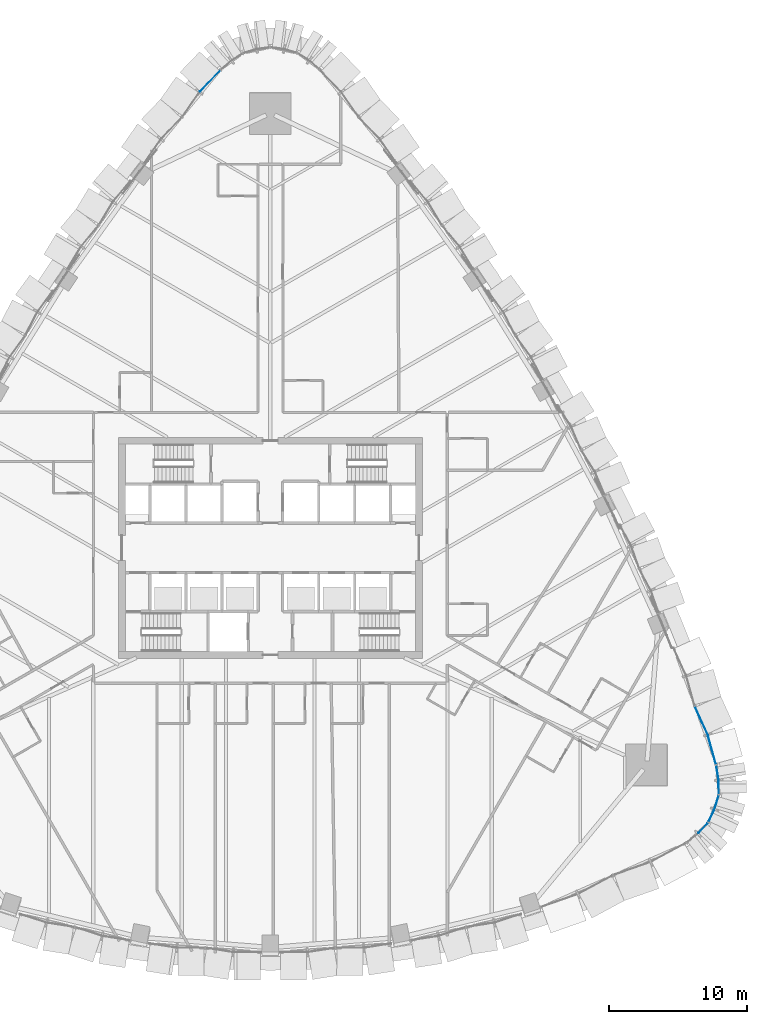
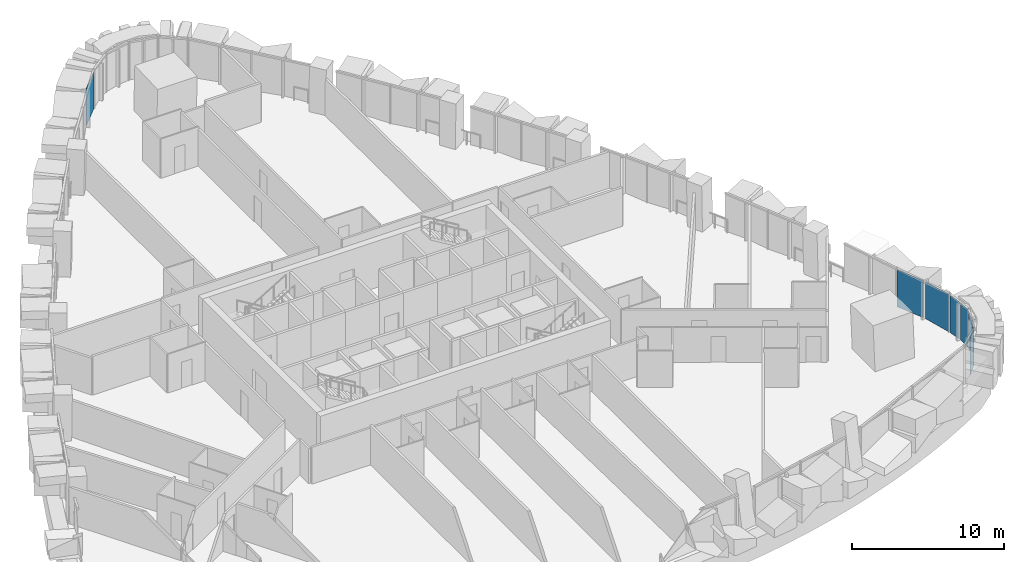
# One storey, part 13 of 27: 8 plates, 5 elements without a shape of their own.
"""IFC4 building model written with IfcOpenShell, lengths in metres."""

from ifc_helpers import new_model, si_unit, direction, frame, origin, place, context, subcontext, project, spatial, polyline, outline, extrude, material, layer, layer_set, type_object, element, aggregate, save


model = new_model("IFC4")

# Units and contexts
model_context = context("Model", 3, precision=1e-05, world=origin(), true_north=direction((0.0, 1.0)))
body_context = subcontext(model_context, "Body", "Model", "MODEL_VIEW")
ifc_project = project(units=[si_unit("LENGTHUNIT", "METRE"), si_unit("AREAUNIT", "SQUARE_METRE"), si_unit("VOLUMEUNIT", "CUBIC_METRE"), si_unit("PLANEANGLEUNIT", "RADIAN"), si_unit("MASSUNIT", "GRAM", prefix="KILO")], contexts=[model_context])

# Site, building, storey
site_placement = place(None, origin())
site = spatial("IfcSite", under=ifc_project, at=site_placement, CompositionType="ELEMENT")
building_placement = place(site_placement, origin())
building = spatial("IfcBuilding", under=site, at=building_placement, Name="Sierra Prisma Convention Tower", CompositionType="ELEMENT")
storey_placement = place(building_placement, frame((0.0, 0.0, 48.0)))
storey = spatial("IfcBuildingStorey", under=building, at=storey_placement, Name="L07", CompositionType="ELEMENT", Elevation=48.0)

# Curtain wall, plate
ifc_material_1 = material(Name="Aluminium and glass curtain wall", Category="aluminium")
ifc_layer_1 = layer(ifc_material_1, 0.179931640625)
ifc_layer_set_1 = layer_set([ifc_layer_1], Name="CW-2 Faceted crystal curtain wall")
curtain_wall_type = type_object("IfcCurtainWallType", Name="CW-2 Faceted crystal curtain wall", PredefinedType="NOTDEFINED", material=ifc_layer_set_1)
curtain_wall_1_placement = place(storey_placement, origin())
curtain_wall_1 = element("IfcCurtainWall", 1, at=curtain_wall_1_placement, inside=storey, type_object=curtain_wall_type, Name="CW-2 SE1 L07", PredefinedType="NOTDEFINED")
ifc_material_2 = material(Name="Tinted glass bronze-grey IGU", Category="glass")
ifc_layer_2 = layer(ifc_material_2, 0.028076171875)
ifc_layer_set_2 = layer_set([ifc_layer_2], Name="CW-2 crystal pane")
plate_type = type_object("IfcPlateType", Name="CW-2 crystal pane", PredefinedType="CURTAIN_PANEL", material=ifc_layer_set_2)
plate_1_placement = place(storey_placement, frame((31.6337890625, -19.95068359375, 0.0), z_axis=(0.733608622413, -0.67957221038, 0.0), x_axis=(-0.67957221038, -0.733608622413, 0.0)))
plate_1 = element("IfcPlate", 2, at=plate_1_placement, type_object=plate_type, Name="CW-2 pane SE1.1.2", PredefinedType="CURTAIN_PANEL", context=body_context, shape_type="SweptSolid", body=[
    extrude(outline(polyline([(0.0, 0.0), (0.948795993680199, 0.0), (0.948795993680199, -2.97998046875), (0.0, -2.97998046875), (0.0, 0.0)])), origin(), (0.0, 0.0, -1.0), 0.028076171875),
])
aggregate(curtain_wall_1, [plate_1])

# Curtain wall, plates
curtain_wall_2_placement = place(storey_placement, origin())
curtain_wall_2 = element("IfcCurtainWall", 3, at=curtain_wall_2_placement, inside=storey, type_object=curtain_wall_type, Name="CW-2 SE2 L07", PredefinedType="NOTDEFINED")
plate_2_placement = place(storey_placement, frame((31.710693359375, -19.838134765625, 0.0), z_axis=(0.901314229564, -0.433165856902, 0.0), x_axis=(0.433165856902, 0.901314229564, 0.0)))
plate_2 = element("IfcPlate", 4, at=plate_2_placement, type_object=plate_type, Name="CW-2 pane SE2.1.1", PredefinedType="CURTAIN_PANEL", context=body_context, shape_type="SweptSolid", body=[
    extrude(outline(polyline([(0.0, 0.0), (0.9491348543493294, 0.0), (0.9491348543493294, 2.97998046875), (0.0, 2.97998046875), (0.0, 0.0)])), origin(), (0.0, 0.0, -1.0), 0.028076171875),
])
plate_3_placement = place(storey_placement, frame((32.44091796875, -17.952880859375, 0.0), z_axis=(0.957889994002, -0.287135437364, 0.0), x_axis=(-0.287135437364, -0.957889994002, 0.0)))
plate_3 = element("IfcPlate", 5, at=plate_3_placement, type_object=plate_type, Name="CW-2 pane SE2.1.2", PredefinedType="CURTAIN_PANEL", context=body_context, shape_type="SweptSolid", body=[
    extrude(outline(polyline([(0.0, 0.0), (0.9488934559982667, 0.0), (0.9488934559982667, -2.9799804687499996), (0.0, -2.9799804687499996), (0.0, 0.0)])), origin(), (0.0, 0.0, -1.0), 0.028076171875),
])
aggregate(curtain_wall_2, [plate_2, plate_3])

curtain_wall_3_placement = place(storey_placement, origin())
curtain_wall_3 = element("IfcCurtainWall", 6, at=curtain_wall_3_placement, inside=storey, type_object=curtain_wall_type, Name="CW-2 SE3 L07", PredefinedType="NOTDEFINED")
plate_4_placement = place(storey_placement, frame((32.4599609375, -17.81787109375, 0.0), z_axis=(0.999966114117, 0.008232291138, 0.0), x_axis=(-0.008232291138, 0.999966114117, 0.0)))
plate_4 = element("IfcPlate", 7, at=plate_4_placement, type_object=plate_type, Name="CW-2 pane SE3.1.1", PredefinedType="CURTAIN_PANEL", context=body_context, shape_type="SweptSolid", body=[
    extrude(outline(polyline([(0.0, 0.0), (0.9490067673071061, 0.0), (0.9490067673071061, 2.9799804687499996), (0.0, 2.9799804687499996), (0.0, 0.0)])), origin(), (0.0, 0.0, -1.0), 0.028076171875),
])
plate_5_placement = place(storey_placement, frame((32.284912109375, -15.803955078125, 0.0), z_axis=(0.986393923832, 0.164398987305, 0.0), x_axis=(0.164398987305, -0.986393923832, 0.0)))
plate_5 = element("IfcPlate", 8, at=plate_5_placement, type_object=plate_type, Name="CW-2 pane SE3.1.2", PredefinedType="CURTAIN_PANEL", context=body_context, shape_type="SweptSolid", body=[
    extrude(outline(polyline([(0.0, 0.0), (0.9489465959132233, 0.0), (0.9489465959132233, -2.9799804687500004), (0.0, -2.9799804687500004), (0.0, 0.0)])), origin(), (0.0, 0.0, -1.0), 0.028076171875),
])
aggregate(curtain_wall_3, [plate_4, plate_5])

curtain_wall_4_placement = place(storey_placement, origin())
curtain_wall_4 = element("IfcCurtainWall", 9, at=curtain_wall_4_placement, inside=storey, type_object=curtain_wall_type, Name="CW-2 NE1 L07", PredefinedType="NOTDEFINED")
plate_6_placement = place(storey_placement, frame((32.2548828125, -15.66845703125, 0.0), z_axis=(0.963704643032, 0.266970711874, 0.0), x_axis=(-0.266970711874, 0.963704643032, 0.0)))
plate_6 = element("IfcPlate", 10, at=plate_6_placement, type_object=plate_type, Name="CW-2 pane NE1.1.1", PredefinedType="CURTAIN_PANEL", context=body_context, shape_type="SweptSolid", body=[
    extrude(outline(polyline([(0.0, 0.0), (2.1700721365940816, 0.0), (2.1700721365940816, 2.97998046875), (0.0, 2.97998046875), (0.0, 0.0)])), origin(), (0.0, 0.0, -1.0), 0.028076171875),
])
plate_7_placement = place(storey_placement, frame((30.73193359375, -11.48046875, 0.0), z_axis=(0.910061848233, 0.414472474829, 0.0), x_axis=(0.414472474829, -0.910061848233, 0.0)))
plate_7 = element("IfcPlate", 11, at=plate_7_placement, type_object=plate_type, Name="CW-2 pane NE1.1.2", PredefinedType="CURTAIN_PANEL", context=body_context, shape_type="SweptSolid", body=[
    extrude(outline(polyline([(0.0, 0.0), (2.1700212127993534, 0.0), (2.1700212127993534, -2.97998046875), (0.0, -2.97998046875), (0.0, 0.0)])), origin(), (0.0, 0.0, -1.0), 0.028076171875),
])
aggregate(curtain_wall_4, [plate_6, plate_7])

# Curtain wall, plate
curtain_wall_5_placement = place(storey_placement, origin())
curtain_wall_5 = element("IfcCurtainWall", 12, at=curtain_wall_5_placement, inside=storey, type_object=curtain_wall_type, Name="CW-2 NW1 L07", PredefinedType="NOTDEFINED")
plate_8_placement = place(storey_placement, frame((-3.6337890625, 34.556640625, 0.0), z_axis=(-0.720873137822, 0.693067038003, 0.0), x_axis=(-0.693067038003, -0.720873137822, 0.0)))
plate_8 = element("IfcPlate", 13, at=plate_8_placement, type_object=plate_type, Name="CW-2 pane NW1.1.1", PredefinedType="CURTAIN_PANEL", context=body_context, shape_type="SweptSolid", body=[
    extrude(outline(polyline([(0.0, 0.0), (2.107226485562551, 0.0), (2.107226485562551, 2.97998046875), (0.0, 2.97998046875), (0.0, 0.0)])), origin(), (0.0, 0.0, -1.0), 0.028076171875),
])
aggregate(curtain_wall_5, [plate_8])

save(model, "model.ifc")
